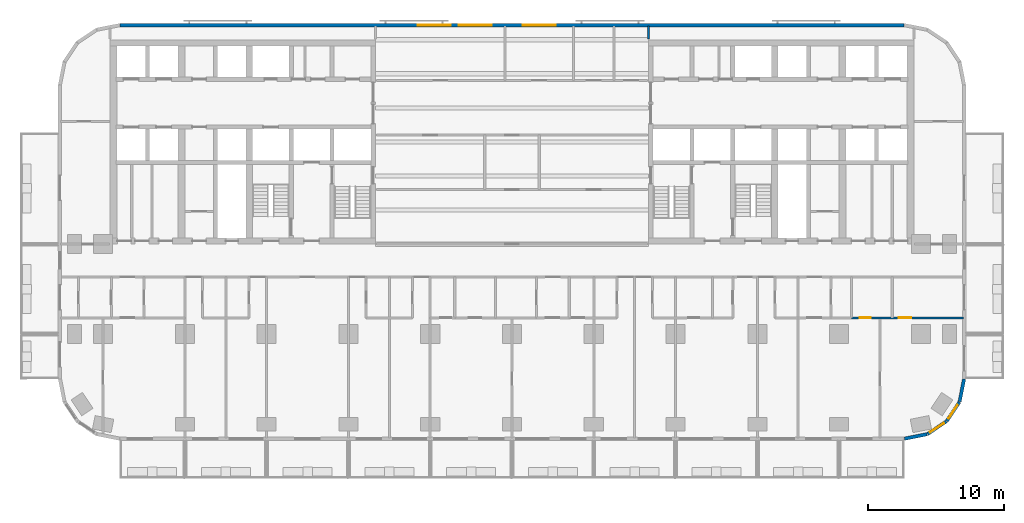
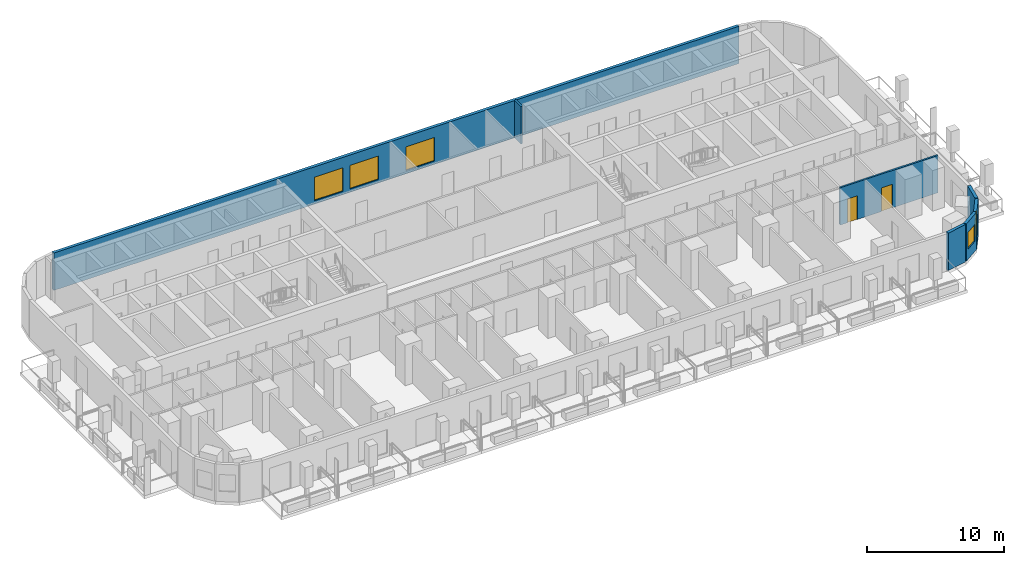
# One storey, part 9 of 15: 7 walls, 5 windows, 2 doors, 7 openings.
"""IFC4 building model written with IfcOpenShell, lengths in metres."""

from ifc_helpers import new_model, si_unit, direction, frame, frame_2d, origin, place, context, subcontext, project, spatial, rectangle, extrude, material, layer, layer_set, type_object, element, fill, save


model = new_model("IFC4")

# Units and contexts
model_context = context("Model", 3, precision=1e-05, world=origin(), true_north=direction((0.0, 1.0)))
body_context = subcontext(model_context, "Body", "Model", "MODEL_VIEW")
ifc_project = project(units=[si_unit("LENGTHUNIT", "METRE"), si_unit("AREAUNIT", "SQUARE_METRE"), si_unit("VOLUMEUNIT", "CUBIC_METRE"), si_unit("PLANEANGLEUNIT", "RADIAN"), si_unit("MASSUNIT", "GRAM", prefix="KILO")], contexts=[model_context])

# Site, building, storey
site_placement = place(None, origin())
site = spatial("IfcSite", under=ifc_project, at=site_placement, CompositionType="ELEMENT")
building_placement = place(site_placement, origin())
building = spatial("IfcBuilding", under=site, at=building_placement, Name="Torana Hotel and Residences", CompositionType="ELEMENT")
storey_placement = place(building_placement, frame((0.0, 0.0, 45.60009765625)))
storey = spatial("IfcBuildingStorey", under=building, at=storey_placement, Name="L10", CompositionType="ELEMENT", Elevation=45.60009765625)

# Wall
ifc_material_1 = material(Name="Black aluminium composite panel", Category="aluminium")
ifc_layer_1 = layer(ifc_material_1, 0.00390625, Name="Cladding", Category="cladding")
ifc_material_2 = material(Name="Ventilated air cavity")
ifc_layer_2 = layer(ifc_material_2, 0.0400390625, Name="Ventilated cavity", Category="cavity")
ifc_material_3 = material(Name="Mineral wool insulation")
ifc_layer_3 = layer(ifc_material_3, 0.090087890625, Name="Insulation", Category="insulation")
ifc_material_4 = material(Name="Steel S280GD", Category="steel")
ifc_layer_4 = layer(ifc_material_4, 0.092041015625, Name="Steel stud frame", Category="structure")
ifc_material_5 = material(Name="Fire rated plasterboard")
ifc_layer_5 = layer(ifc_material_5, 0.011962890625, Name="Inner board", Category="finish")
ifc_layer_6 = layer(ifc_material_5, 0.011962890625, Name="Second board", Category="finish")
ifc_layer_set_1 = layer_set([ifc_layer_1, ifc_layer_2, ifc_layer_3, ifc_layer_4, ifc_layer_5, ifc_layer_6], Name="EW1 EXTERNAL WALL BLACK METAL CLAD 250")
wall_type_1 = type_object("IfcWallType", Name="EW1 EXTERNAL WALL BLACK METAL CLAD 250", PredefinedType="SOLIDWALL", material=ifc_layer_set_1)
wall_1_placement = place(storey_placement, frame((28.7998046875, -29.272705078125, 0.0), z_axis=(0.0, 0.0, 1.0), x_axis=(0.980775640221, 0.19513878023, 0.0)))
element("IfcWall", 1, at=wall_1_placement, inside=storey, type_object=wall_type_1, Name="External wall L10 e0.15", PredefinedType="SOLIDWALL", context=body_context, shape_type="SweptSolid", body=[
    extrude(rectangle(XDim=1.681396484375, YDim=0.25, at=frame_2d((0.8408203125, 0.0))), origin(), (0.0, 0.0, 1.0), 3.31982421875),
])

# Wall, opening, window
wall_2_placement = place(storey_placement, frame((30.493896484375, -28.92578125, 0.0), z_axis=(0.0, 0.0, 1.0), x_axis=(0.831482937015, 0.55555029066, 0.0)))
wall_2 = element("IfcWall", 2, at=wall_2_placement, inside=storey, type_object=wall_type_1, Name="External wall L10 e0.16", PredefinedType="SOLIDWALL", context=body_context, shape_type="SweptSolid", body=[
    extrude(rectangle(XDim=1.65625, YDim=0.25, at=frame_2d((0.828125, 0.0))), origin(), (0.0, 0.0, 1.0), 3.31982421875),
])
opening_1_placement = place(wall_2_placement, frame((0.228271484375, 0.0, 0.89990234375)))
opening_1 = element("IfcOpeningElement", 3, at=opening_1_placement, cuts=wall_2, Name="Opening W5", PredefinedType="OPENING", context=body_context, shape_type="SweptSolid", body=[
    extrude(rectangle(XDim=1.199951171875, YDim=1.5, at=frame_2d((0.60009765625, 0.75))), frame((0.0, 0.135009765625, 0.0), z_axis=(0.0, -1.0, 0.0), x_axis=(1.0, 0.0, 0.0)), (0.0, 0.0, 1.0), 0.27001953125),
])
ifc_material_6 = material(Name="Dark glass in black aluminium frame", Category="aluminium")
window_type_1 = type_object("IfcWindowType", Name="W5 CORNER FACET WINDOW 1200x1500", PartitioningType="SINGLE_PANEL", PredefinedType="WINDOW", material=ifc_material_6)
window_1_placement = place(opening_1_placement, origin())
window_1 = element("IfcWindow", 4, at=window_1_placement, inside=storey, type_object=window_type_1, Name="Window L10 e0.16", OverallHeight=1.5, OverallWidth=1.199951171875, PartitioningType="SINGLE_PANEL", PredefinedType="WINDOW", context=body_context, shape_type="SweptSolid", body=[
    extrude(rectangle(XDim=1.199951171875, YDim=1.5, at=frame_2d((0.60009765625, 0.75))), frame((0.0, 0.030029296875, 0.0), z_axis=(0.0, -1.0, 0.0), x_axis=(1.0, 0.0, 0.0)), (0.0, 0.0, 1.0), 0.06005859375),
])
fill(opening_1, window_1)

wall_3_placement = place(storey_placement, frame((31.90576171875, -27.97119140625, 0.0), z_axis=(0.0, 0.0, 1.0), x_axis=(0.55555029066, 0.831482937015, 0.0)))
wall_3 = element("IfcWall", 5, at=wall_3_placement, inside=storey, type_object=wall_type_1, Name="External wall L10 e0.17", PredefinedType="SOLIDWALL", context=body_context, shape_type="SweptSolid", body=[
    extrude(rectangle(XDim=1.65625, YDim=0.25, at=frame_2d((0.828125, 0.0))), origin(), (0.0, 0.0, 1.0), 3.31982421875),
])
opening_2_placement = place(wall_3_placement, frame((0.228271484375, 0.0, 0.89990234375)))
opening_2 = element("IfcOpeningElement", 6, at=opening_2_placement, cuts=wall_3, Name="Opening W5", PredefinedType="OPENING", context=body_context, shape_type="SweptSolid", body=[
    extrude(rectangle(XDim=1.199951171875, YDim=1.5, at=frame_2d((0.60009765625, 0.75))), frame((0.0, 0.135009765625, 0.0), z_axis=(0.0, -1.0, 0.0), x_axis=(1.0, 0.0, 0.0)), (0.0, 0.0, 1.0), 0.27001953125),
])
window_2_placement = place(opening_2_placement, origin())
window_2 = element("IfcWindow", 7, at=window_2_placement, inside=storey, type_object=window_type_1, Name="Window L10 e0.17", OverallHeight=1.5, OverallWidth=1.199951171875, PartitioningType="SINGLE_PANEL", PredefinedType="WINDOW", context=body_context, shape_type="SweptSolid", body=[
    extrude(rectangle(XDim=1.199951171875, YDim=1.5, at=frame_2d((0.60009765625, 0.75))), frame((0.0, 0.030029296875, 0.0), z_axis=(0.0, -1.0, 0.0), x_axis=(1.0, 0.0, 0.0)), (0.0, 0.0, 1.0), 0.06005859375),
])
fill(opening_2, window_2)

# Wall
wall_4_placement = place(storey_placement, frame((32.844482421875, -26.548828125, 0.0), z_axis=(0.0, 0.0, 1.0), x_axis=(0.195166572128, 0.980770110232, 0.0)))
element("IfcWall", 8, at=wall_4_placement, inside=storey, type_object=wall_type_1, Name="External wall L10 e0.18", PredefinedType="SOLIDWALL", context=body_context, shape_type="SweptSolid", body=[
    extrude(rectangle(XDim=1.68115234375, YDim=0.25, at=frame_2d((0.840576171875, 0.0))), origin(), (0.0, 0.0, 1.0), 3.31982421875),
])

# Wall, openings, windows
ifc_material_7 = material(Name="Concrete C40/50 precast", Category="concrete")
ifc_layer_7 = layer(ifc_material_7, 0.10009765625, Name="Perforated block", Category="cladding")
ifc_material_8 = material(Name="Air cavity")
ifc_layer_8 = layer(ifc_material_8, 0.030029296875, Name="Cavity", Category="cavity")
ifc_material_9 = material(Name="Concrete C40/50", Category="concrete")
ifc_layer_9 = layer(ifc_material_9, 0.10009765625, Name="Wall", Category="structure")
ifc_material_10 = material(Name="Plaster and paint")
ifc_layer_10 = layer(ifc_material_10, 0.02001953125, Name="Inner finish", Category="finish")
ifc_layer_set_2 = layer_set([ifc_layer_7, ifc_layer_8, ifc_layer_9, ifc_layer_10], Name="EW2 PERFORATED BLOCK SCREEN WALL 250")
wall_type_2 = type_object("IfcWallType", Name="EW2 PERFORATED BLOCK SCREEN WALL 250", PredefinedType="SOLIDWALL", material=ifc_layer_set_2)
wall_5_placement = place(storey_placement, frame((28.775390625, 1.074951171875, 0.0), z_axis=(0.0, 0.0, 1.0), x_axis=(-1.0, 0.0, 0.0)))
wall_5 = element("IfcWall", 9, at=wall_5_placement, inside=storey, type_object=wall_type_2, Name="External wall L10 e0.4", PredefinedType="SOLIDWALL", context=body_context, shape_type="SweptSolid", body=[
    extrude(rectangle(XDim=57.55078125, YDim=0.25, at=frame_2d((28.775390625, 0.0))), origin(), (0.0, 0.0, 1.0), 3.31982421875),
])
opening_3_placement = place(wall_5_placement, frame((25.575439453125, 0.0, 0.300048828125)))
opening_3 = element("IfcOpeningElement", 10, at=opening_3_placement, cuts=wall_5, Name="Opening W1", PredefinedType="OPENING", context=body_context, shape_type="SweptSolid", body=[
    extrude(rectangle(XDim=2.39990234375, YDim=2.10009765625, at=frame_2d((1.199951171875, 1.050048828125))), frame((0.0, 0.135009765625, 0.0), z_axis=(0.0, -1.0, 0.0), x_axis=(1.0, 0.0, 0.0)), (0.0, 0.0, 1.0), 0.27001953125),
])
opening_4_placement = place(wall_5_placement, frame((30.275390625, 0.0, 0.300048828125)))
opening_4 = element("IfcOpeningElement", 11, at=opening_4_placement, cuts=wall_5, Name="Opening W1", PredefinedType="OPENING", context=body_context, shape_type="SweptSolid", body=[
    extrude(rectangle(XDim=2.39990234375, YDim=2.10009765625, at=frame_2d((1.199951171875, 1.050048828125))), frame((0.0, 0.135009765625, 0.0), z_axis=(0.0, -1.0, 0.0), x_axis=(1.0, 0.0, 0.0)), (0.0, 0.0, 1.0), 0.27001953125),
])
opening_5_placement = place(wall_5_placement, frame((33.275390625, 0.0, 0.300048828125)))
opening_5 = element("IfcOpeningElement", 12, at=opening_5_placement, cuts=wall_5, Name="Opening W1", PredefinedType="OPENING", context=body_context, shape_type="SweptSolid", body=[
    extrude(rectangle(XDim=2.39990234375, YDim=2.10009765625, at=frame_2d((1.199951171875, 1.050048828125))), frame((0.0, 0.135009765625, 0.0), z_axis=(0.0, -1.0, 0.0), x_axis=(1.0, 0.0, 0.0)), (0.0, 0.0, 1.0), 0.27001953125),
])
ifc_material_11 = material(Name="Dark glass in black aluminium frame", Category="aluminium")
window_type_2 = type_object("IfcWindowType", Name="W1 HOTEL ROOM WINDOW 2400x2100", PartitioningType="SINGLE_PANEL", PredefinedType="WINDOW", material=ifc_material_11)
window_3_placement = place(opening_3_placement, origin())
window_3 = element("IfcWindow", 13, at=window_3_placement, inside=storey, type_object=window_type_2, Name="Window L10", OverallHeight=2.10009765625, OverallWidth=2.39990234375, PartitioningType="SINGLE_PANEL", PredefinedType="WINDOW", context=body_context, shape_type="SweptSolid", body=[
    extrude(rectangle(XDim=2.39990234375, YDim=2.10009765625, at=frame_2d((1.199951171875, 1.050048828125))), frame((0.0, 0.030029296875, 0.0), z_axis=(0.0, -1.0, 0.0), x_axis=(1.0, 0.0, 0.0)), (0.0, 0.0, 1.0), 0.06005859375),
])
fill(opening_3, window_3)
window_4_placement = place(opening_4_placement, origin())
window_4 = element("IfcWindow", 14, at=window_4_placement, inside=storey, type_object=window_type_2, Name="Window L10", OverallHeight=2.10009765625, OverallWidth=2.39990234375, PartitioningType="SINGLE_PANEL", PredefinedType="WINDOW", context=body_context, shape_type="SweptSolid", body=[
    extrude(rectangle(XDim=2.39990234375, YDim=2.10009765625, at=frame_2d((1.199951171875, 1.050048828125))), frame((0.0, 0.030029296875, 0.0), z_axis=(0.0, -1.0, 0.0), x_axis=(1.0, 0.0, 0.0)), (0.0, 0.0, 1.0), 0.06005859375),
])
fill(opening_4, window_4)
window_5_placement = place(opening_5_placement, origin())
window_5 = element("IfcWindow", 15, at=window_5_placement, inside=storey, type_object=window_type_2, Name="Window L10", OverallHeight=2.10009765625, OverallWidth=2.39990234375, PartitioningType="SINGLE_PANEL", PredefinedType="WINDOW", context=body_context, shape_type="SweptSolid", body=[
    extrude(rectangle(XDim=2.39990234375, YDim=2.10009765625, at=frame_2d((1.199951171875, 1.050048828125))), frame((0.0, 0.030029296875, 0.0), z_axis=(0.0, -1.0, 0.0), x_axis=(1.0, 0.0, 0.0)), (0.0, 0.0, 1.0), 0.06005859375),
])
fill(opening_5, window_5)

# Wall, openings, doors
ifc_material_12 = material(Name="Gypsum plasterboard")
ifc_layer_11 = layer(ifc_material_12, 0.012451171875, Name="Plasterboard", Category="finish")
ifc_layer_12 = layer(ifc_material_12, 0.012451171875, Name="Plasterboard", Category="finish")
ifc_layer_13 = layer(ifc_material_4, 0.10009765625, Name="Steel studs with mineral wool", Category="insulation")
ifc_layer_14 = layer(ifc_material_12, 0.012451171875, Name="Plasterboard", Category="finish")
ifc_layer_15 = layer(ifc_material_12, 0.012451171875, Name="Plasterboard", Category="finish")
ifc_layer_set_3 = layer_set([ifc_layer_11, ifc_layer_12, ifc_layer_13, ifc_layer_14, ifc_layer_15], Name="PARTITION 150 PLASTERBOARD")
wall_type_3 = type_object("IfcWallType", Name="PARTITION 150 PLASTERBOARD", PredefinedType="PARTITIONING", material=ifc_layer_set_3)
wall_6_placement = place(storey_placement, frame((24.89990234375, -20.39990234375, 0.0), z_axis=(0.0, 0.0, 1.0), x_axis=(1.0, 0.0, 0.0)))
wall_6 = element("IfcWall", 16, at=wall_6_placement, inside=storey, type_object=wall_type_3, Name="Partition L10", PredefinedType="PARTITIONING", context=body_context, shape_type="SweptSolid", body=[
    extrude(rectangle(XDim=8.22021484375, YDim=0.14990234375, at=frame_2d((4.110107421875, 0.0))), origin(), (0.0, 0.0, 1.0), 3.31982421875),
])
opening_6_placement = place(wall_6_placement, frame((0.6298828125, 0.0, 0.0)))
opening_6 = element("IfcOpeningElement", 17, at=opening_6_placement, cuts=wall_6, Name="Opening L10-84", PredefinedType="OPENING", context=body_context, shape_type="SweptSolid", body=[
    extrude(rectangle(XDim=0.800048828125, YDim=2.10009765625, at=frame_2d((0.39990234375, 1.050048828125))), frame((0.0, 0.0849609375, 0.0), z_axis=(0.0, -1.0, 0.0), x_axis=(1.0, 0.0, 0.0)), (0.0, 0.0, 1.0), 0.169921875),
])
opening_7_placement = place(wall_6_placement, frame((3.47998046875, 0.0, 0.0)))
opening_7 = element("IfcOpeningElement", 18, at=opening_7_placement, cuts=wall_6, Name="Opening L10-85", PredefinedType="OPENING", context=body_context, shape_type="SweptSolid", body=[
    extrude(rectangle(XDim=0.89990234375, YDim=2.10009765625, at=frame_2d((0.449951171875, 1.050048828125))), frame((0.0, 0.0849609375, 0.0), z_axis=(0.0, -1.0, 0.0), x_axis=(1.0, 0.0, 0.0)), (0.0, 0.0, 1.0), 0.169921875),
])
ifc_material_13 = material(Name="Timber door, painted", Category="wood")
door_type_1 = type_object("IfcDoorType", Name="BATH DOOR D13 800x2100", OperationType="SINGLE_SWING_LEFT", PredefinedType="DOOR", material=ifc_material_13)
door_1_placement = place(opening_6_placement, origin())
door_1 = element("IfcDoor", 19, at=door_1_placement, inside=storey, type_object=door_type_1, Name="Door L10", OperationType="SINGLE_SWING_RIGHT", OverallHeight=2.10009765625, OverallWidth=0.800048828125, PredefinedType="DOOR", context=body_context, shape_type="SweptSolid", body=[
    extrude(rectangle(XDim=0.800048828125, YDim=2.10009765625, at=frame_2d((0.39990234375, 1.050048828125))), frame((0.0, 0.02490234375, 0.0), z_axis=(0.0, -1.0, 0.0), x_axis=(1.0, 0.0, 0.0)), (0.0, 0.0, 1.0), 0.050048828125),
])
fill(opening_6, door_1)
ifc_material_14 = material(Name="Timber door, oiled ash", Category="wood")
door_type_2 = type_object("IfcDoorType", Name="ROOM DOOR D7 900x2100", OperationType="SINGLE_SWING_LEFT", PredefinedType="DOOR", material=ifc_material_14)
door_2_placement = place(opening_7_placement, origin())
door_2 = element("IfcDoor", 20, at=door_2_placement, inside=storey, type_object=door_type_2, Name="Door L10", OperationType="SINGLE_SWING_RIGHT", OverallHeight=2.10009765625, OverallWidth=0.89990234375, PredefinedType="DOOR", context=body_context, shape_type="SweptSolid", body=[
    extrude(rectangle(XDim=0.89990234375, YDim=2.10009765625, at=frame_2d((0.449951171875, 1.050048828125))), frame((0.0, 0.02490234375, 0.0), z_axis=(0.0, -1.0, 0.0), x_axis=(1.0, 0.0, 0.0)), (0.0, 0.0, 1.0), 0.050048828125),
])
fill(opening_7, door_2)

# Wall
ifc_material_15 = material(Name="Ceramic tile on adhesive")
ifc_layer_16 = layer(ifc_material_15, 0.010009765625, Name="Wall tile", Category="finish")
ifc_material_16 = material(Name="Cement render")
ifc_layer_17 = layer(ifc_material_16, 0.010009765625, Name="Render", Category="finish")
ifc_material_17 = material(Name="Concrete blockwork", Category="masonry")
ifc_layer_18 = layer(ifc_material_17, 0.110107421875, Name="Blockwork", Category="structure")
ifc_layer_19 = layer(ifc_material_16, 0.010009765625, Name="Render", Category="finish")
ifc_layer_20 = layer(ifc_material_15, 0.010009765625, Name="Wall tile", Category="finish")
ifc_layer_set_4 = layer_set([ifc_layer_16, ifc_layer_17, ifc_layer_18, ifc_layer_19, ifc_layer_20], Name="WC PARTITION 150")
wall_type_4 = type_object("IfcWallType", Name="WC PARTITION 150", PredefinedType="PLUMBINGWALL", material=ifc_layer_set_4)
wall_7_placement = place(storey_placement, frame((10.0, 0.050048828125, 0.0), z_axis=(0.0, 0.0, 1.0), x_axis=(0.0, 1.0, 0.0)))
element("IfcWall", 21, at=wall_7_placement, inside=storey, type_object=wall_type_4, Name="Partition L10", PredefinedType="PLUMBINGWALL", context=body_context, shape_type="SweptSolid", body=[
    extrude(rectangle(XDim=0.969970703125, YDim=0.14990234375, at=frame_2d((0.48486328125, 0.0))), origin(), (0.0, 0.0, 1.0), 3.31982421875),
])

save(model, "model.ifc")
